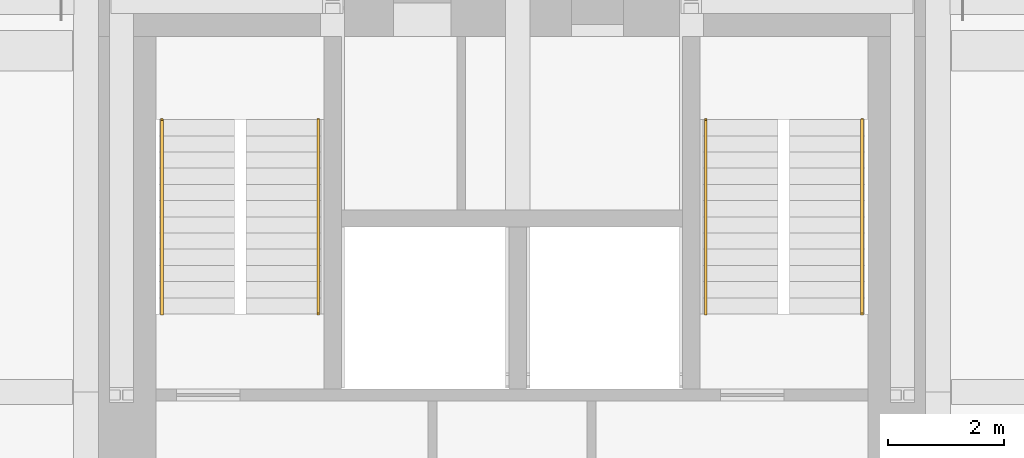
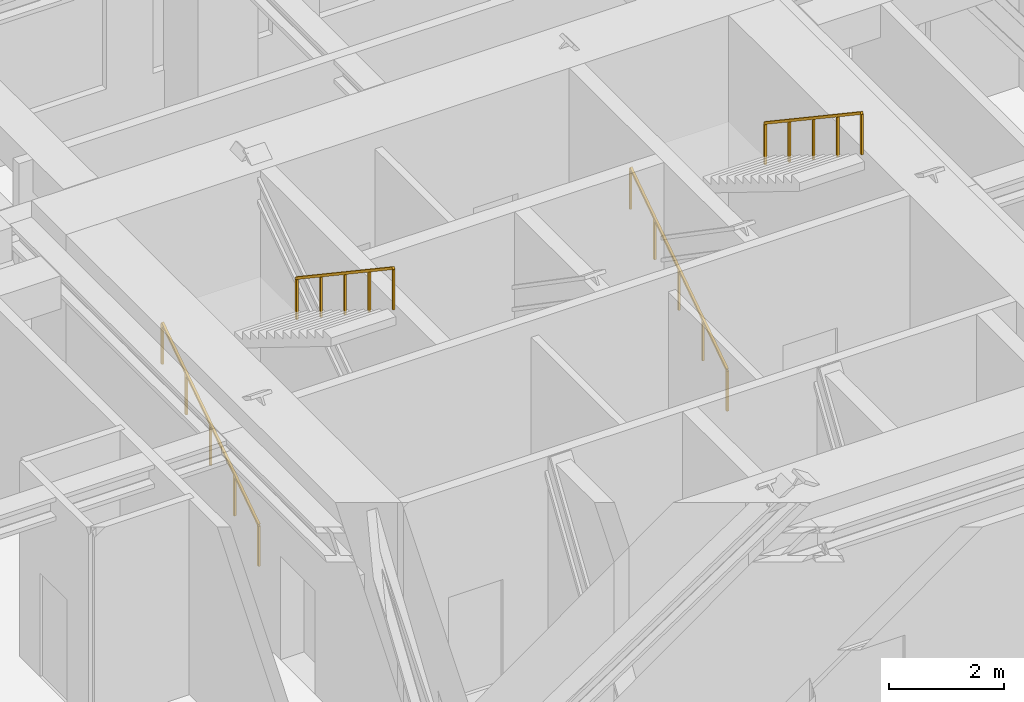
# One storey, part 6 of 6: 4 railings.
"""IFC4 building model written with IfcOpenShell, lengths in metres."""

from ifc_helpers import new_model, si_unit, direction, frame, origin, origin_2d, place, context, subcontext, project, spatial, rectangle, extrude, material, type_object, element, save


model = new_model("IFC4")

# Units and contexts
model_context = context("Model", 3, precision=1e-05, world=origin(), true_north=direction((0.0, 1.0)))
body_context = subcontext(model_context, "Body", "Model", "MODEL_VIEW")
ifc_project = project(units=[si_unit("LENGTHUNIT", "METRE"), si_unit("AREAUNIT", "SQUARE_METRE"), si_unit("VOLUMEUNIT", "CUBIC_METRE"), si_unit("PLANEANGLEUNIT", "RADIAN"), si_unit("MASSUNIT", "GRAM", prefix="KILO")], contexts=[model_context])

# Site, building, storey
site_placement = place(None, origin())
site = spatial("IfcSite", under=ifc_project, at=site_placement, CompositionType="ELEMENT")
building_placement = place(site_placement, origin())
building = spatial("IfcBuilding", under=site, at=building_placement, Name="Nyansa Garden Tower", CompositionType="ELEMENT")
storey_placement = place(building_placement, frame((0.0, 0.0, 199.800048828125)))
storey = spatial("IfcBuildingStorey", under=building, at=storey_placement, Name="L54", CompositionType="ELEMENT", Elevation=199.800048828125)

# Railings
ifc_material = material(Name="Black powder-coated steel tube 48 mm", Category="steel")
railing_type = type_object("IfcRailingType", Name="Stair handrail HR1", PredefinedType="HANDRAIL", material=ifc_material)
railing_1_placement = place(storey_placement, frame((14.199951171875, 21.60009765625, 0.0)))
element("IfcRailing", 1, at=railing_1_placement, inside=storey, type_object=railing_type, Name="Stair S1 handrail L54", PredefinedType="HANDRAIL", context=body_context, shape_type="SweptSolid", body=[
    extrude(rectangle(XDim=0.048095703125, YDim=0.048095703125, at=origin_2d()), frame((0.0, 0.0, 0.8759765625), z_axis=(0.0, 0.830896709279, 0.556426687452), x_axis=(-1.0, 0.0, 0.0)), (0.0, 0.0, 1.0), 4.043701171875),
    extrude(rectangle(XDim=0.0419921875, YDim=0.0419921875, at=origin_2d()), origin(), (0.0, 0.0, 1.0), 0.851806640625),
    extrude(rectangle(XDim=0.0419921875, YDim=0.0419921875, at=origin_2d()), frame((0.0, 0.83984375, 0.5625)), (0.0, 0.0, 1.0), 0.851806640625),
    extrude(rectangle(XDim=0.0419921875, YDim=0.0419921875, at=origin_2d()), frame((0.0, 1.679931640625, 1.125)), (0.0, 0.0, 1.0), 0.851806640625),
    extrude(rectangle(XDim=0.0419921875, YDim=0.0419921875, at=origin_2d()), frame((0.0, 2.52001953125, 1.6875)), (0.0, 0.0, 1.0), 0.851806640625),
    extrude(rectangle(XDim=0.0419921875, YDim=0.0419921875, at=origin_2d()), frame((0.0, 3.35986328125, 2.25)), (0.0, 0.0, 1.0), 0.851806640625),
])
railing_2_placement = place(storey_placement, frame((16.89990234375, 24.9599609375, 2.25)))
element("IfcRailing", 2, at=railing_2_placement, inside=storey, type_object=railing_type, Name="Stair S1 handrail L54", PredefinedType="HANDRAIL", context=body_context, shape_type="SweptSolid", body=[
    extrude(rectangle(XDim=0.048095703125, YDim=0.048095703125, at=origin_2d()), frame((0.0, 0.0, 0.8759765625), z_axis=(0.0, -0.830896709279, 0.556426687452), x_axis=(1.0, 0.0, 0.0)), (0.0, 0.0, 1.0), 4.043701171875),
    extrude(rectangle(XDim=0.0419921875, YDim=0.0419921875, at=origin_2d()), origin(), (0.0, 0.0, 1.0), 0.851806640625),
    extrude(rectangle(XDim=0.0419921875, YDim=0.0419921875, at=origin_2d()), frame((0.0, -0.83984375, 0.5625)), (0.0, 0.0, 1.0), 0.851806640625),
    extrude(rectangle(XDim=0.0419921875, YDim=0.0419921875, at=origin_2d()), frame((0.0, -1.679931640625, 1.125)), (0.0, 0.0, 1.0), 0.851806640625),
    extrude(rectangle(XDim=0.0419921875, YDim=0.0419921875, at=origin_2d()), frame((0.0, -2.52001953125, 1.6875)), (0.0, 0.0, 1.0), 0.851806640625),
    extrude(rectangle(XDim=0.0419921875, YDim=0.0419921875, at=origin_2d()), frame((0.0, -3.35986328125, 2.25)), (0.0, 0.0, 1.0), 0.851806640625),
])
railing_3_placement = place(storey_placement, frame((23.60009765625, 21.60009765625, 0.0)))
element("IfcRailing", 3, at=railing_3_placement, inside=storey, type_object=railing_type, Name="Stair S2 handrail L54", PredefinedType="HANDRAIL", context=body_context, shape_type="SweptSolid", body=[
    extrude(rectangle(XDim=0.048095703125, YDim=0.048095703125, at=origin_2d()), frame((0.0, 0.0, 0.8759765625), z_axis=(0.0, 0.830896709279, 0.556426687452), x_axis=(-1.0, 0.0, 0.0)), (0.0, 0.0, 1.0), 4.043701171875),
    extrude(rectangle(XDim=0.0419921875, YDim=0.0419921875, at=origin_2d()), origin(), (0.0, 0.0, 1.0), 0.851806640625),
    extrude(rectangle(XDim=0.0419921875, YDim=0.0419921875, at=origin_2d()), frame((0.0, 0.83984375, 0.5625)), (0.0, 0.0, 1.0), 0.851806640625),
    extrude(rectangle(XDim=0.0419921875, YDim=0.0419921875, at=origin_2d()), frame((0.0, 1.679931640625, 1.125)), (0.0, 0.0, 1.0), 0.851806640625),
    extrude(rectangle(XDim=0.0419921875, YDim=0.0419921875, at=origin_2d()), frame((0.0, 2.52001953125, 1.6875)), (0.0, 0.0, 1.0), 0.851806640625),
    extrude(rectangle(XDim=0.0419921875, YDim=0.0419921875, at=origin_2d()), frame((0.0, 3.35986328125, 2.25)), (0.0, 0.0, 1.0), 0.851806640625),
])
railing_4_placement = place(storey_placement, frame((26.300048828125, 24.9599609375, 2.25)))
element("IfcRailing", 4, at=railing_4_placement, inside=storey, type_object=railing_type, Name="Stair S2 handrail L54", PredefinedType="HANDRAIL", context=body_context, shape_type="SweptSolid", body=[
    extrude(rectangle(XDim=0.048095703125, YDim=0.048095703125, at=origin_2d()), frame((0.0, 0.0, 0.8759765625), z_axis=(0.0, -0.830896709279, 0.556426687452), x_axis=(1.0, 0.0, 0.0)), (0.0, 0.0, 1.0), 4.043701171875),
    extrude(rectangle(XDim=0.0419921875, YDim=0.0419921875, at=origin_2d()), origin(), (0.0, 0.0, 1.0), 0.851806640625),
    extrude(rectangle(XDim=0.0419921875, YDim=0.0419921875, at=origin_2d()), frame((0.0, -0.83984375, 0.5625)), (0.0, 0.0, 1.0), 0.851806640625),
    extrude(rectangle(XDim=0.0419921875, YDim=0.0419921875, at=origin_2d()), frame((0.0, -1.679931640625, 1.125)), (0.0, 0.0, 1.0), 0.851806640625),
    extrude(rectangle(XDim=0.0419921875, YDim=0.0419921875, at=origin_2d()), frame((0.0, -2.52001953125, 1.6875)), (0.0, 0.0, 1.0), 0.851806640625),
    extrude(rectangle(XDim=0.0419921875, YDim=0.0419921875, at=origin_2d()), frame((0.0, -3.35986328125, 2.25)), (0.0, 0.0, 1.0), 0.851806640625),
])

save(model, "model.ifc")
